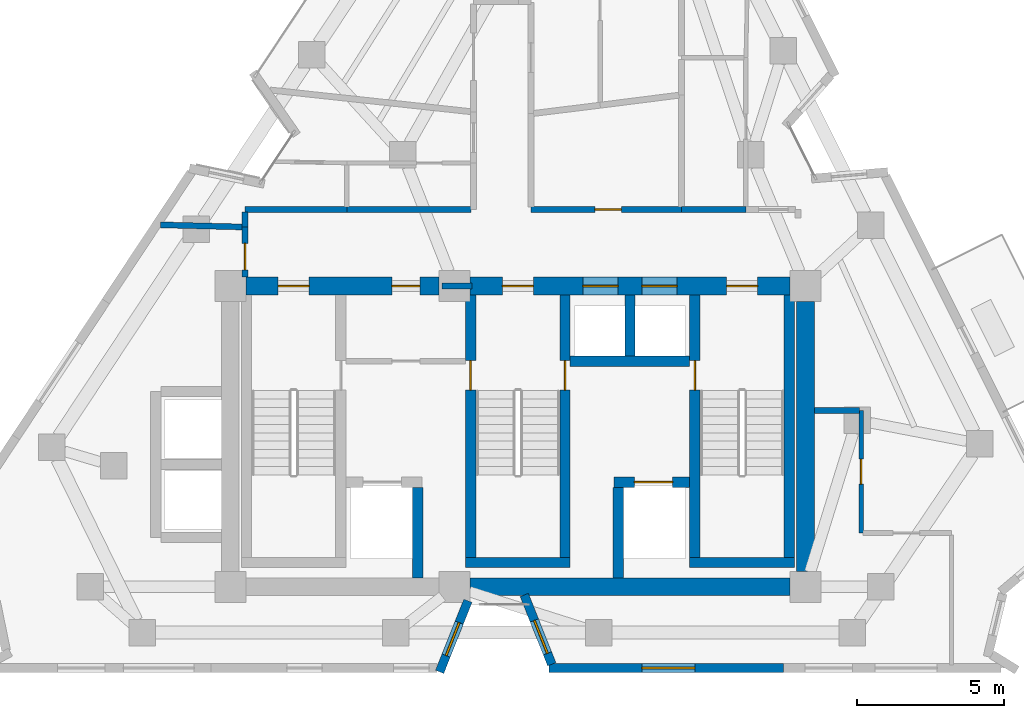
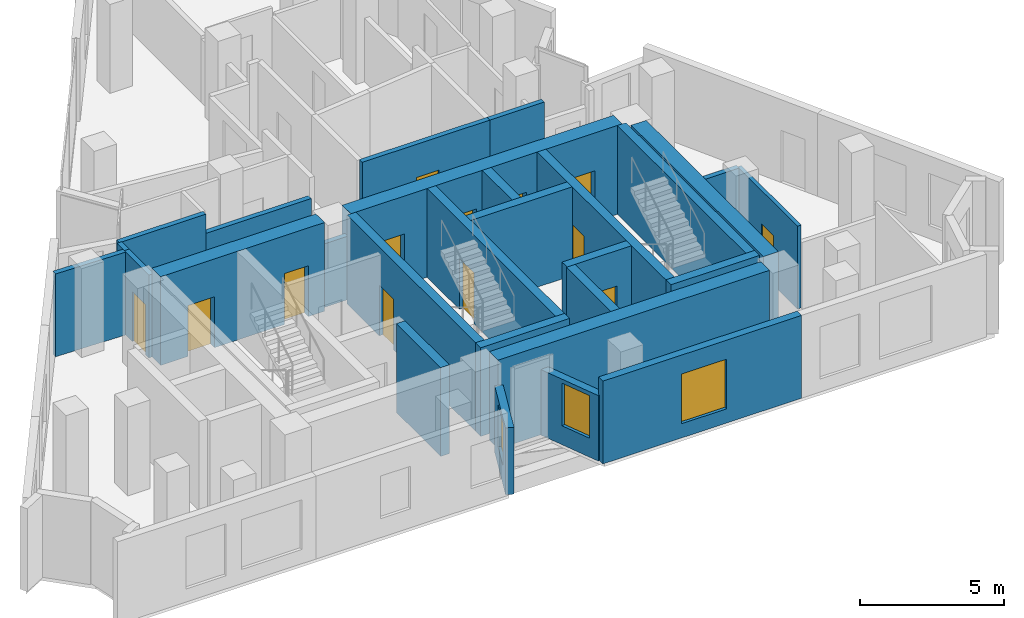
# One storey, part 5 of 9: 28 walls, 13 doors, 3 windows, 16 openings.
"""IFC4 building model written with IfcOpenShell, lengths in metres."""

from ifc_helpers import new_model, si_unit, direction, frame, frame_2d, origin, place, context, subcontext, project, spatial, rectangle, extrude, material, layer, layer_set, type_object, element, fill, save


model = new_model("IFC4")

# Units and contexts
model_context = context("Model", 3, precision=1e-05, world=origin(), true_north=direction((0.0, 1.0)))
body_context = subcontext(model_context, "Body", "Model", "MODEL_VIEW")
ifc_project = project(units=[si_unit("LENGTHUNIT", "METRE"), si_unit("AREAUNIT", "SQUARE_METRE"), si_unit("VOLUMEUNIT", "CUBIC_METRE"), si_unit("PLANEANGLEUNIT", "RADIAN"), si_unit("MASSUNIT", "GRAM", prefix="KILO")], contexts=[model_context])

# Site, building, storey
site_placement = place(None, origin())
site = spatial("IfcSite", under=ifc_project, at=site_placement, CompositionType="ELEMENT")
building_placement = place(site_placement, origin())
building = spatial("IfcBuilding", under=site, at=building_placement, Name="Almagre Mirador Tower", CompositionType="ELEMENT")
storey_placement = place(building_placement, frame((0.0, 0.0, 259.5)))
storey = spatial("IfcBuildingStorey", under=building, at=storey_placement, Name="L67", CompositionType="ELEMENT", Elevation=259.5)

# Wall, opening, window
ifc_material_1 = material(Name="Precast concrete C50/60", Category="concrete")
ifc_layer_1 = layer(ifc_material_1, 0.300048828125)
ifc_layer_set_1 = layer_set([ifc_layer_1], Name="Precast concrete C50/60")
wall_type_1 = type_object("IfcWallType", Name="WAL-EXT-300", PredefinedType="SOLIDWALL", material=ifc_layer_set_1)
wall_1_placement = place(storey_placement, frame((46.300048828125, 1.800048828125, 0.0), z_axis=(0.0, 0.0, 1.0), x_axis=(-1.0, 0.0, 0.0)))
wall_1 = element("IfcWall", 1, at=wall_1_placement, inside=storey, type_object=wall_type_1, Name="L67 expressed almagre precast frame wall 19", PredefinedType="SOLIDWALL", context=body_context, shape_type="SweptSolid", body=[
    extrude(rectangle(XDim=7.93994140625, YDim=0.300048828125, at=frame_2d((3.969970703125, 0.0))), origin(), (0.0, 0.0, 1.0), 3.5),
])
opening_1_placement = place(wall_1_placement, frame((3.0, 0.0, 0.60009765625)))
opening_1 = element("IfcOpeningElement", 2, at=opening_1_placement, cuts=wall_1, Name="Opening WN-01", PredefinedType="OPENING", context=body_context, shape_type="SweptSolid", body=[
    extrude(rectangle(XDim=1.800048828125, YDim=2.10009765625, at=frame_2d((0.89990234375, 1.050048828125))), frame((0.0, 0.159902, 0.0), z_axis=(0.0, -1.0, 0.0), x_axis=(1.0, 0.0, 0.0)), (0.0, 0.0, 1.0), 0.320049),
])
ifc_material_2 = material(Name="Dark solar-control laminated hurricane glass", Category="glass")
window_type_1 = type_object("IfcWindowType", Name="WIN-1800X2100", PartitioningType="DOUBLE_PANEL_VERTICAL", PredefinedType="WINDOW", material=ifc_material_2)
window_1_placement = place(opening_1_placement, origin())
window_1 = element("IfcWindow", 3, at=window_1_placement, inside=storey, type_object=window_type_1, Name="L67 recessed hurricane window L67-UB-LV", OverallHeight=2.10009765625, OverallWidth=1.800048828125, PartitioningType="SINGLE_PANEL", PredefinedType="WINDOW", context=body_context, shape_type="SweptSolid", body=[
    extrude(rectangle(XDim=1.800048828125, YDim=2.10009765625, at=frame_2d((0.89990234375, 1.050048828125))), frame((0.0, 0.030029296875, 0.0), z_axis=(0.0, -1.0, 0.0), x_axis=(1.0, 0.0, 0.0)), (0.0, 0.0, 1.0), 0.06005859375),
])
fill(opening_1, window_1)

wall_2_placement = place(storey_placement, frame((38.4501953125, 1.92529296875, 0.0), z_axis=(0.0, 0.0, 1.0), x_axis=(-0.369540985735, 0.929214431583, 0.0)))
wall_2 = element("IfcWall", 4, at=wall_2_placement, inside=storey, type_object=wall_type_1, Name="L67 expressed almagre precast frame wall 20", PredefinedType="SOLIDWALL", context=body_context, shape_type="SweptSolid", body=[
    extrude(rectangle(XDim=2.527099609375, YDim=0.300048828125, at=frame_2d((1.263671875, 0.0))), origin(), (0.0, 0.0, 1.0), 2.76904296875),
])
opening_2_placement = place(wall_2_placement, frame((0.39990234375, 0.0, 0.800048828125)))
opening_2 = element("IfcOpeningElement", 5, at=opening_2_placement, cuts=wall_2, Name="Opening WN-04", PredefinedType="OPENING", context=body_context, shape_type="SweptSolid", body=[
    extrude(rectangle(XDim=1.199951171875, YDim=1.800048828125, at=frame_2d((0.60009765625, 0.89990234375))), frame((0.0, 0.159902, 0.0), z_axis=(0.0, -1.0, 0.0), x_axis=(1.0, 0.0, 0.0)), (0.0, 0.0, 1.0), 0.320049),
])
ifc_material_3 = material(Name="Dark solar-control laminated hurricane glass", Category="glass")
window_type_2 = type_object("IfcWindowType", Name="WIN-1200X1800", PartitioningType="SINGLE_PANEL", PredefinedType="WINDOW", material=ifc_material_3)
window_2_placement = place(opening_2_placement, origin())
window_2 = element("IfcWindow", 6, at=window_2_placement, inside=storey, type_object=window_type_2, Name="L67 recessed hurricane window L67-UB-LV", OverallHeight=1.800048828125, OverallWidth=1.199951171875, PartitioningType="SINGLE_PANEL", PredefinedType="WINDOW", context=body_context, shape_type="SweptSolid", body=[
    extrude(rectangle(XDim=1.199951171875, YDim=1.800048828125, at=frame_2d((0.60009765625, 0.89990234375))), frame((0.0, 0.030029296875, 0.0), z_axis=(0.0, -1.0, 0.0), x_axis=(1.0, 0.0, 0.0)), (0.0, 0.0, 1.0), 0.06005859375),
])
fill(opening_2, window_2)

wall_3_placement = place(storey_placement, frame((35.606689453125, 4.080078125, 0.0), z_axis=(0.0, 0.0, 1.0), x_axis=(-0.369539870332, -0.929214875169, 0.0)))
wall_3 = element("IfcWall", 7, at=wall_3_placement, inside=storey, type_object=wall_type_1, Name="L67 expressed almagre precast frame wall 21", PredefinedType="SOLIDWALL", context=body_context, shape_type="SweptSolid", body=[
    extrude(rectangle(XDim=2.59375, YDim=0.300048828125, at=frame_2d((1.296875, 0.0))), origin(), (0.0, 0.0, 1.0), 2.824951171875),
])
opening_3_placement = place(wall_3_placement, frame((0.800048828125, 0.0, 0.800048828125)))
opening_3 = element("IfcOpeningElement", 8, at=opening_3_placement, cuts=wall_3, Name="Opening WN-04", PredefinedType="OPENING", context=body_context, shape_type="SweptSolid", body=[
    extrude(rectangle(XDim=1.199951171875, YDim=1.800048828125, at=frame_2d((0.60009765625, 0.89990234375))), frame((0.0, 0.159902, 0.0), z_axis=(0.0, -1.0, 0.0), x_axis=(1.0, 0.0, 0.0)), (0.0, 0.0, 1.0), 0.320049),
])
window_3_placement = place(opening_3_placement, origin())
window_3 = element("IfcWindow", 9, at=window_3_placement, inside=storey, type_object=window_type_2, Name="L67 recessed hurricane window L67-UB-SD1", OverallHeight=1.800048828125, OverallWidth=1.199951171875, PartitioningType="SINGLE_PANEL", PredefinedType="WINDOW", context=body_context, shape_type="SweptSolid", body=[
    extrude(rectangle(XDim=1.199951171875, YDim=1.800048828125, at=frame_2d((0.60009765625, 0.89990234375))), frame((0.0, 0.030029296875, 0.0), z_axis=(0.0, -1.0, 0.0), x_axis=(1.0, 0.0, 0.0)), (0.0, 0.0, 1.0), 0.06005859375),
])
fill(opening_3, window_3)

# Wall, opening, door
ifc_material_4 = material(Name="Gypsum acoustic stud partition", Category="other")
ifc_layer_2 = layer(ifc_material_4, 0.14990234375)
ifc_layer_set_2 = layer_set([ifc_layer_2], Name="Gypsum acoustic stud partition")
wall_type_2 = type_object("IfcWallType", Name="WAL-PRT-150-STD", PredefinedType="PARTITIONING", material=ifc_layer_set_2)
wall_4_placement = place(storey_placement, frame((48.93994140625, 10.530029296875, 0.0), z_axis=(0.0, 0.0, 1.0), x_axis=(0.0, -1.0, 0.0)))
wall_4 = element("IfcWall", 10, at=wall_4_placement, inside=storey, type_object=wall_type_2, Name="L67 interior partition 027", PredefinedType="PARTITIONING", context=body_context, shape_type="SweptSolid", body=[
    extrude(rectangle(XDim=4.150146484375, YDim=0.14990234375, at=frame_2d((2.0751953125, 0.0))), origin(), (0.0, 0.0, 1.0), 3.5),
])
opening_4_placement = place(wall_4_placement, frame((1.64990234375, 0.0, 0.0)))
opening_4 = element("IfcOpeningElement", 11, at=opening_4_placement, cuts=wall_4, Name="Opening UD-04", PredefinedType="OPENING", context=body_context, shape_type="SweptSolid", body=[
    extrude(rectangle(XDim=0.85009765625, YDim=2.10009765625, at=frame_2d((0.425048828125, 1.050048828125))), frame((0.0, 0.084951, 0.0), z_axis=(0.0, -1.0, 0.0), x_axis=(1.0, 0.0, 0.0)), (0.0, 0.0, 1.0), 0.169902),
])
ifc_material_5 = material(Name="Moisture-resistant oak timber", Category="wood")
door_type_1 = type_object("IfcDoorType", Name="DOR-UNR-850X2100", OperationType="NOTDEFINED", PredefinedType="DOOR", material=ifc_material_5)
door_1_placement = place(opening_4_placement, origin())
door_1 = element("IfcDoor", 12, at=door_1_placement, inside=storey, type_object=door_type_1, Name="DR-2053 L67 interior door L67-UC-LV to L67-UC-HB", OperationType="SINGLE_SWING_RIGHT", OverallHeight=2.10009765625, OverallWidth=0.85009765625, PredefinedType="DOOR", context=body_context, shape_type="SweptSolid", body=[
    extrude(rectangle(XDim=0.85009765625, YDim=2.10009765625, at=frame_2d((0.425048828125, 1.050048828125))), frame((0.0, 0.02490234375, 0.0), z_axis=(0.0, -1.0, 0.0), x_axis=(1.0, 0.0, 0.0)), (0.0, 0.0, 1.0), 0.050048828125),
])
fill(opening_4, door_1)

# Wall
ifc_material_6 = material(Name="Gypsum acoustic stud partition", Category="other")
ifc_layer_3 = layer(ifc_material_6, 0.199951171875)
ifc_layer_set_3 = layer_set([ifc_layer_3], Name="Gypsum acoustic stud partition")
wall_type_3 = type_object("IfcWallType", Name="WAL-PRT-200-EI60", PredefinedType="PARTITIONING", material=ifc_layer_set_3)
wall_5_placement = place(storey_placement, frame((34.719970703125, 14.75, 0.0), z_axis=(0.0, 0.0, 1.0), x_axis=(1.0, 0.0, 0.0)))
element("IfcWall", 13, at=wall_5_placement, inside=storey, type_object=wall_type_3, Name="L67 core north closure wall", PredefinedType="PARTITIONING", context=body_context, shape_type="SweptSolid", body=[
    extrude(rectangle(XDim=1.030029296875, YDim=0.199951171875, at=frame_2d((0.51513671875, 0.0))), origin(), (0.0, 0.0, 1.0), 2.68505859375),
])

# Wall, opening, door
wall_6_placement = place(storey_placement, frame((28.050048828125, 16.75, 0.0), z_axis=(0.0, 0.0, 1.0), x_axis=(0.0, -1.0, 0.0)))
wall_6 = element("IfcWall", 14, at=wall_6_placement, inside=storey, type_object=wall_type_3, Name="L67 interior partition 001", PredefinedType="PARTITIONING", context=body_context, shape_type="SweptSolid", body=[
    extrude(rectangle(XDim=1.699951171875, YDim=0.199951171875, at=frame_2d((0.85009765625, 0.0))), origin(), (0.0, 0.0, 1.0), 3.5),
])
opening_5_placement = place(wall_6_placement, frame((0.555908203125, 0.0, 0.0)))
opening_5 = element("IfcOpeningElement", 15, at=opening_5_placement, cuts=wall_6, Name="Opening ID-03", PredefinedType="OPENING", context=body_context, shape_type="SweptSolid", body=[
    extrude(rectangle(XDim=0.89990234375, YDim=2.10009765625, at=frame_2d((0.449951171875, 1.050048828125))), frame((0.0, 0.110098, 0.0), z_axis=(0.0, -1.0, 0.0), x_axis=(1.0, 0.0, 0.0)), (0.0, 0.0, 1.0), 0.219951),
])
ifc_material_7 = material(Name="Fire-rated hollow steel", Category="steel")
door_type_2 = type_object("IfcDoorType", Name="DOR-FD60-900X2100", OperationType="NOTDEFINED", PredefinedType="DOOR", material=ifc_material_7)
door_2_placement = place(opening_5_placement, origin())
door_2 = element("IfcDoor", 16, at=door_2_placement, inside=storey, type_object=door_type_2, Name="DR-2050 L67 interior door L67-RCOR to L67-RST-D", OperationType="SINGLE_SWING_LEFT", OverallHeight=2.10009765625, OverallWidth=0.89990234375, PredefinedType="DOOR", context=body_context, shape_type="SweptSolid", body=[
    extrude(rectangle(XDim=0.89990234375, YDim=2.10009765625, at=frame_2d((0.449951171875, 1.050048828125))), frame((0.0, 0.02490234375, 0.0), z_axis=(0.0, -1.0, 0.0), x_axis=(1.0, 0.0, 0.0)), (0.0, 0.0, 1.0), 0.050048828125),
])
fill(opening_5, door_2)

# Walls
wall_7_placement = place(storey_placement, frame((35.715087890625, 17.35009765625, 0.0), z_axis=(0.0, 0.0, 1.0), x_axis=(-1.0, 0.0, 0.0)))
element("IfcWall", 17, at=wall_7_placement, inside=storey, type_object=wall_type_3, Name="L67 interior partition 004", PredefinedType="PARTITIONING", context=body_context, shape_type="SweptSolid", body=[
    extrude(rectangle(XDim=4.215087890625, YDim=0.199951171875, at=frame_2d((2.107421875, 0.0))), origin(), (0.0, 0.0, 1.0), 2.68505859375),
])
wall_8_placement = place(storey_placement, frame((31.5, 17.35009765625, 0.0), z_axis=(0.0, 0.0, 1.0), x_axis=(-1.0, 0.0, 0.0)))
element("IfcWall", 18, at=wall_8_placement, inside=storey, type_object=wall_type_3, Name="L67 interior partition 005", PredefinedType="PARTITIONING", context=body_context, shape_type="SweptSolid", body=[
    extrude(rectangle(XDim=3.449951171875, YDim=0.199951171875, at=frame_2d((1.72509765625, 0.0))), origin(), (0.0, 0.0, 1.0), 3.5),
])
wall_9_placement = place(storey_placement, frame((28.050048828125, 17.264892578125, 0.0), z_axis=(0.0, 0.0, 1.0), x_axis=(0.0, -1.0, 0.0)))
element("IfcWall", 19, at=wall_9_placement, inside=storey, type_object=wall_type_3, Name="L67 interior partition 006", PredefinedType="PARTITIONING", context=body_context, shape_type="SweptSolid", body=[
    extrude(rectangle(XDim=0.514892578125, YDim=0.199951171875, at=frame_2d((0.25732421875, 0.0))), origin(), (0.0, 0.0, 1.0), 3.5),
])

# Wall, opening, door
wall_10_placement = place(storey_placement, frame((42.85009765625, 17.35009765625, 0.0), z_axis=(0.0, 0.0, 1.0), x_axis=(-1.0, 0.0, 0.0)))
wall_10 = element("IfcWall", 20, at=wall_10_placement, inside=storey, type_object=wall_type_3, Name="L67 interior partition 007", PredefinedType="PARTITIONING", context=body_context, shape_type="SweptSolid", body=[
    extrude(rectangle(XDim=5.10009765625, YDim=0.199951171875, at=frame_2d((2.550048828125, 0.0))), origin(), (0.0, 0.0, 1.0), 3.5),
])
opening_6_placement = place(wall_10_placement, frame((2.04052734375, 0.0, 0.0)))
opening_6 = element("IfcOpeningElement", 21, at=opening_6_placement, cuts=wall_10, Name="Opening ID-03", PredefinedType="OPENING", context=body_context, shape_type="SweptSolid", body=[
    extrude(rectangle(XDim=0.89990234375, YDim=2.10009765625, at=frame_2d((0.449951171875, 1.050048828125))), frame((0.0, 0.110098, 0.0), z_axis=(0.0, -1.0, 0.0), x_axis=(1.0, 0.0, 0.0)), (0.0, 0.0, 1.0), 0.219951),
])
door_3_placement = place(opening_6_placement, origin())
door_3 = element("IfcDoor", 22, at=door_3_placement, inside=storey, type_object=door_type_2, Name="DR-2051 L67 interior door L67-RCOR to L67-RST-G", OperationType="SINGLE_SWING_RIGHT", OverallHeight=2.10009765625, OverallWidth=0.89990234375, PredefinedType="DOOR", context=body_context, shape_type="SweptSolid", body=[
    extrude(rectangle(XDim=0.89990234375, YDim=2.10009765625, at=frame_2d((0.449951171875, 1.050048828125))), frame((0.0, 0.02490234375, 0.0), z_axis=(0.0, -1.0, 0.0), x_axis=(1.0, 0.0, 0.0)), (0.0, 0.0, 1.0), 0.050048828125),
])
fill(opening_6, door_3)

# Walls
wall_11_placement = place(storey_placement, frame((45.030029296875, 17.35009765625, 0.0), z_axis=(0.0, 0.0, 1.0), x_axis=(-1.0, 0.0, 0.0)))
element("IfcWall", 23, at=wall_11_placement, inside=storey, type_object=wall_type_3, Name="L67 interior partition 013", PredefinedType="PARTITIONING", context=body_context, shape_type="SweptSolid", body=[
    extrude(rectangle(XDim=2.179931640625, YDim=0.199951171875, at=frame_2d((1.08984375, 0.0))), origin(), (0.0, 0.0, 1.0), 3.5),
])
wall_12_placement = place(storey_placement, frame((48.8798828125, 10.530029296875, 0.0), z_axis=(0.0, 0.0, 1.0), x_axis=(-1.0, 0.0, 0.0)))
element("IfcWall", 24, at=wall_12_placement, inside=storey, type_object=wall_type_3, Name="L67 interior partition 034", PredefinedType="PARTITIONING", context=body_context, shape_type="SweptSolid", body=[
    extrude(rectangle(XDim=1.52978515625, YDim=0.199951171875, at=frame_2d((0.764892578125, 0.0))), origin(), (0.0, 0.0, 1.0), 3.5),
])
wall_13_placement = place(storey_placement, frame((27.965087890625, 16.751220703125, 0.0), z_axis=(0.0, 0.0, 1.0), x_axis=(-0.99966592062, 0.025846608096, 0.0)))
element("IfcWall", 25, at=wall_13_placement, inside=storey, type_object=wall_type_3, Name="L67 interior partition 037", PredefinedType="PARTITIONING", context=body_context, shape_type="SweptSolid", body=[
    extrude(rectangle(XDim=2.777099609375, YDim=0.199951171875, at=frame_2d((1.388671875, 0.0))), origin(), (0.0, 0.0, 1.0), 3.5),
])

# Wall, opening, door
ifc_material_8 = material(Name="Concrete C60/75", Category="concrete")
ifc_layer_4 = layer(ifc_material_8, 0.35009765625)
ifc_layer_set_4 = layer_set([ifc_layer_4], Name="Concrete C60/75")
wall_type_4 = type_object("IfcWallType", Name="WAL-SHF-350", PredefinedType="SOLIDWALL", material=ifc_layer_set_4)
wall_14_placement = place(storey_placement, frame((35.699951171875, 5.199951171875, 0.0), z_axis=(0.0, 0.0, 1.0), x_axis=(0.0, 1.0, 0.0)))
wall_14 = element("IfcWall", 26, at=wall_14_placement, inside=storey, type_object=wall_type_4, Name="L67 shaft wall ST2-W", PredefinedType="SOLIDWALL", context=body_context, shape_type="SweptSolid", body=[
    extrude(rectangle(XDim=9.25, YDim=0.35009765625, at=frame_2d((4.625, 0.0))), origin(), (0.0, 0.0, 1.0), 3.75),
])
opening_7_placement = place(wall_14_placement, frame((6.02001953125, 0.0, 0.0)))
opening_7 = element("IfcOpeningElement", 27, at=opening_7_placement, cuts=wall_14, Name="Opening FD-01", PredefinedType="OPENING", context=body_context, shape_type="SweptSolid", body=[
    extrude(rectangle(XDim=1.0, YDim=2.14990234375, at=frame_2d((0.5, 1.074951171875))), frame((0.0, 0.185049, 0.0), z_axis=(0.0, -1.0, 0.0), x_axis=(1.0, 0.0, 0.0)), (0.0, 0.0, 1.0), 0.370098),
])
ifc_material_9 = material(Name="Fire-rated hollow steel", Category="steel")
door_type_3 = type_object("IfcDoorType", Name="DOR-FFL-1000X2150", OperationType="NOTDEFINED", PredefinedType="DOOR", material=ifc_material_9)
door_4_placement = place(opening_7_placement, origin())
door_4 = element("IfcDoor", 28, at=door_4_placement, inside=storey, type_object=door_type_3, Name="DR-2047 L67 FFL1-ST2 smokeproof door", OperationType="SINGLE_SWING_RIGHT", OverallHeight=2.14990234375, OverallWidth=1.0, PredefinedType="DOOR", context=body_context, shape_type="SweptSolid", body=[
    extrude(rectangle(XDim=1.0, YDim=2.14990234375, at=frame_2d((0.5, 1.074951171875))), frame((0.0, 0.02490234375, 0.0), z_axis=(0.0, -1.0, 0.0), x_axis=(1.0, 0.0, 0.0)), (0.0, 0.0, 1.0), 0.050048828125),
])
fill(opening_7, door_4)

wall_15_placement = place(storey_placement, frame((38.89990234375, 5.199951171875, 0.0), z_axis=(0.0, 0.0, 1.0), x_axis=(0.0, 1.0, 0.0)))
wall_15 = element("IfcWall", 29, at=wall_15_placement, inside=storey, type_object=wall_type_4, Name="L67 shaft wall ST2-E", PredefinedType="SOLIDWALL", context=body_context, shape_type="SweptSolid", body=[
    extrude(rectangle(XDim=9.25, YDim=0.35009765625, at=frame_2d((4.625, 0.0))), origin(), (0.0, 0.0, 1.0), 3.75),
])
opening_8_placement = place(wall_15_placement, frame((6.02001953125, 0.0, 0.0)))
opening_8 = element("IfcOpeningElement", 30, at=opening_8_placement, cuts=wall_15, Name="Opening FD-01", PredefinedType="OPENING", context=body_context, shape_type="SweptSolid", body=[
    extrude(rectangle(XDim=1.0, YDim=2.14990234375, at=frame_2d((0.5, 1.074951171875))), frame((0.0, 0.185049, 0.0), z_axis=(0.0, -1.0, 0.0), x_axis=(1.0, 0.0, 0.0)), (0.0, 0.0, 1.0), 0.370098),
])
door_5_placement = place(opening_8_placement, origin())
door_5 = element("IfcDoor", 31, at=door_5_placement, inside=storey, type_object=door_type_3, Name="DR-2048 L67 FFL2-ST2 smokeproof door", OperationType="SINGLE_SWING_LEFT", OverallHeight=2.14990234375, OverallWidth=1.0, PredefinedType="DOOR", context=body_context, shape_type="SweptSolid", body=[
    extrude(rectangle(XDim=1.0, YDim=2.14990234375, at=frame_2d((0.5, 1.074951171875))), frame((0.0, 0.02490234375, 0.0), z_axis=(0.0, -1.0, 0.0), x_axis=(1.0, 0.0, 0.0)), (0.0, 0.0, 1.0), 0.050048828125),
])
fill(opening_8, door_5)

# Wall
wall_16_placement = place(storey_placement, frame((35.52490234375, 5.375, 0.0), z_axis=(0.0, 0.0, 1.0), x_axis=(1.0, 0.0, 0.0)))
element("IfcWall", 32, at=wall_16_placement, inside=storey, type_object=wall_type_4, Name="L67 shaft wall ST2-S", PredefinedType="SOLIDWALL", context=body_context, shape_type="SweptSolid", body=[
    extrude(rectangle(XDim=3.550048828125, YDim=0.35009765625, at=frame_2d((1.77490234375, 0.0))), origin(), (0.0, 0.0, 1.0), 3.75),
])

# Wall, opening, door
wall_17_placement = place(storey_placement, frame((43.300048828125, 5.199951171875, 0.0), z_axis=(0.0, 0.0, 1.0), x_axis=(0.0, 1.0, 0.0)))
wall_17 = element("IfcWall", 33, at=wall_17_placement, inside=storey, type_object=wall_type_4, Name="L67 shaft wall ST3-W", PredefinedType="SOLIDWALL", context=body_context, shape_type="SweptSolid", body=[
    extrude(rectangle(XDim=9.25, YDim=0.35009765625, at=frame_2d((4.625, 0.0))), origin(), (0.0, 0.0, 1.0), 3.75),
])
opening_9_placement = place(wall_17_placement, frame((6.02001953125, 0.0, 0.0)))
opening_9 = element("IfcOpeningElement", 34, at=opening_9_placement, cuts=wall_17, Name="Opening FD-01", PredefinedType="OPENING", context=body_context, shape_type="SweptSolid", body=[
    extrude(rectangle(XDim=1.0, YDim=2.14990234375, at=frame_2d((0.5, 1.074951171875))), frame((0.0, 0.185049, 0.0), z_axis=(0.0, -1.0, 0.0), x_axis=(1.0, 0.0, 0.0)), (0.0, 0.0, 1.0), 0.370098),
])
door_6_placement = place(opening_9_placement, origin())
door_6 = element("IfcDoor", 35, at=door_6_placement, inside=storey, type_object=door_type_3, Name="DR-2049 L67 FFL2-ST3 smokeproof door", OperationType="SINGLE_SWING_RIGHT", OverallHeight=2.14990234375, OverallWidth=1.0, PredefinedType="DOOR", context=body_context, shape_type="SweptSolid", body=[
    extrude(rectangle(XDim=1.0, YDim=2.14990234375, at=frame_2d((0.5, 1.074951171875))), frame((0.0, 0.02490234375, 0.0), z_axis=(0.0, -1.0, 0.0), x_axis=(1.0, 0.0, 0.0)), (0.0, 0.0, 1.0), 0.050048828125),
])
fill(opening_9, door_6)

# Walls
wall_18_placement = place(storey_placement, frame((46.5, 5.199951171875, 0.0), z_axis=(0.0, 0.0, 1.0), x_axis=(0.0, 1.0, 0.0)))
element("IfcWall", 36, at=wall_18_placement, inside=storey, type_object=wall_type_4, Name="L67 shaft wall ST3-E", PredefinedType="SOLIDWALL", context=body_context, shape_type="SweptSolid", body=[
    extrude(rectangle(XDim=9.25, YDim=0.35009765625, at=frame_2d((4.625, 0.0))), origin(), (0.0, 0.0, 1.0), 3.75),
])
wall_19_placement = place(storey_placement, frame((43.125, 5.375, 0.0), z_axis=(0.0, 0.0, 1.0), x_axis=(1.0, 0.0, 0.0)))
element("IfcWall", 37, at=wall_19_placement, inside=storey, type_object=wall_type_4, Name="L67 shaft wall ST3-S", PredefinedType="SOLIDWALL", context=body_context, shape_type="SweptSolid", body=[
    extrude(rectangle(XDim=3.550048828125, YDim=0.35009765625, at=frame_2d((1.77490234375, 0.0))), origin(), (0.0, 0.0, 1.0), 3.75),
])

# Wall, opening, door
wall_20_placement = place(storey_placement, frame((40.550048828125, 8.10009765625, 0.0), z_axis=(0.0, 0.0, 1.0), x_axis=(1.0, 0.0, 0.0)))
wall_20 = element("IfcWall", 38, at=wall_20_placement, inside=storey, type_object=wall_type_4, Name="L67 shaft wall FSAE2-N", PredefinedType="SOLIDWALL", context=body_context, shape_type="SweptSolid", body=[
    extrude(rectangle(XDim=2.574951171875, YDim=0.35009765625, at=frame_2d((1.28759765625, 0.0))), origin(), (0.0, 0.0, 1.0), 3.75),
])
opening_10_placement = place(wall_20_placement, frame((0.699951171875, 0.0, 0.0)))
opening_10 = element("IfcOpeningElement", 39, at=opening_10_placement, cuts=wall_20, Name="Opening LD-03", PredefinedType="OPENING", context=body_context, shape_type="SweptSolid", body=[
    extrude(rectangle(XDim=1.300048828125, YDim=2.25, at=frame_2d((0.64990234375, 1.125))), frame((0.0, 0.185049, 0.0), z_axis=(0.0, -1.0, 0.0), x_axis=(1.0, 0.0, 0.0)), (0.0, 0.0, 1.0), 0.370098),
])
ifc_material_10 = material(Name="Hollow stainless steel", Category="steel")
door_type_4 = type_object("IfcDoorType", Name="DOR-LD-1300X2250", OperationType="DOUBLE_DOOR_SLIDING", PredefinedType="DOOR", material=ifc_material_10)
door_7_placement = place(opening_10_placement, origin())
door_7 = element("IfcDoor", 40, at=door_7_placement, inside=storey, type_object=door_type_4, Name="DR-2065 L67 FSAE-2 lift landing door", OperationType="DOUBLE_DOOR_SLIDING", OverallHeight=2.25, OverallWidth=1.300048828125, PredefinedType="DOOR", context=body_context, shape_type="SweptSolid", body=[
    extrude(rectangle(XDim=1.300048828125, YDim=2.25, at=frame_2d((0.64990234375, 1.125))), frame((0.0, 0.02490234375, 0.0), z_axis=(0.0, -1.0, 0.0), x_axis=(1.0, 0.0, 0.0)), (0.0, 0.0, 1.0), 0.050048828125),
])
fill(opening_10, door_7)

# Walls
for number, where, z_axis, x_axis, name in (
    (41, (33.89990234375, 4.85009765625, 0.0), (0.0, 0.0, 1.0), (0.0, 1.0, 0.0), "L67 shaft wall FSAE1-E"),
    (42, (40.699951171875, 4.85009765625, 0.0), (0.0, 0.0, 1.0), (0.0, 1.0, 0.0), "L67 shaft wall FSAE2-W"),
):
    element("IfcWall", number, at=place(storey_placement, frame(where, z_axis=z_axis, x_axis=x_axis)), inside=storey, type_object=wall_type_4, Name=name, PredefinedType="SOLIDWALL", context=body_context, shape_type="SweptSolid", body=[
        extrude(rectangle(XDim=3.074951171875, YDim=0.35009765625, at=frame_2d((1.53759765625, 0.0))), origin(), (0.0, 0.0, 1.0), 3.75),
    ])
wall_21_placement = place(storey_placement, frame((39.074951171875, 12.199951171875, 0.0), z_axis=(0.0, 0.0, 1.0), x_axis=(1.0, 0.0, 0.0)))
element("IfcWall", 43, at=wall_21_placement, inside=storey, type_object=wall_type_4, Name="L67 shaft wall PLH-S", PredefinedType="SOLIDWALL", context=body_context, shape_type="SweptSolid", body=[
    extrude(rectangle(XDim=4.050048828125, YDim=0.35009765625, at=frame_2d((2.02490234375, 0.0))), origin(), (0.0, 0.0, 1.0), 3.75),
])
wall_22_placement = place(storey_placement, frame((41.10009765625, 12.375, 0.0), z_axis=(0.0, 0.0, 1.0), x_axis=(0.0, 1.0, 0.0)))
element("IfcWall", 44, at=wall_22_placement, inside=storey, type_object=wall_type_4, Name="L67 shaft wall PLH-M", PredefinedType="SOLIDWALL", context=body_context, shape_type="SweptSolid", body=[
    extrude(rectangle(XDim=2.074951171875, YDim=0.35009765625, at=frame_2d((1.03759765625, 0.0))), origin(), (0.0, 0.0, 1.0), 3.75),
])
ifc_material_11 = material(Name="Concrete C60/75", Category="concrete")
ifc_layer_5 = layer(ifc_material_11, 0.60009765625)
ifc_layer_set_5 = layer_set([ifc_layer_5], Name="Concrete C60/75")
wall_type_5 = type_object("IfcWallType", Name="WAL-SHR-600", PredefinedType="SHEAR", material=ifc_layer_set_5)
wall_23_placement = place(storey_placement, frame((35.675048828125, 4.550048828125, 0.0), z_axis=(0.0, 0.0, 1.0), x_axis=(1.0, 0.0, 0.0)))
element("IfcWall", 45, at=wall_23_placement, inside=storey, type_object=wall_type_5, Name="L67 core shear wall S2", PredefinedType="SHEAR", context=body_context, shape_type="SweptSolid", body=[
    extrude(rectangle(XDim=10.849853515625, YDim=0.60009765625, at=frame_2d((5.4248046875, 0.0))), origin(), (0.0, 0.0, 1.0), 3.75),
])

# Wall, openings, doors
wall_24_placement = place(storey_placement, frame((28.074951171875, 14.75, 0.0), z_axis=(0.0, 0.0, 1.0), x_axis=(1.0, 0.0, 0.0)))
wall_24 = element("IfcWall", 46, at=wall_24_placement, inside=storey, type_object=wall_type_5, Name="L67 core shear wall N1", PredefinedType="SHEAR", context=body_context, shape_type="SweptSolid", body=[
    extrude(rectangle(XDim=6.550048828125, YDim=0.60009765625, at=frame_2d((3.27490234375, 0.0))), origin(), (0.0, 0.0, 1.0), 3.75),
])
opening_11_placement = place(wall_24_placement, frame((1.10009765625, 0.0, 0.0)))
opening_11 = element("IfcOpeningElement", 47, at=opening_11_placement, cuts=wall_24, Name="Opening SD-01", PredefinedType="OPENING", context=body_context, shape_type="SweptSolid", body=[
    extrude(rectangle(XDim=1.050048828125, YDim=2.14990234375, at=frame_2d((0.52490234375, 1.074951171875))), frame((0.0, 0.310049, 0.0), z_axis=(0.0, -1.0, 0.0), x_axis=(1.0, 0.0, 0.0)), (0.0, 0.0, 1.0), 0.620098),
])
opening_12_placement = place(wall_24_placement, frame((4.949951171875, 0.0, 0.0)))
opening_12 = element("IfcOpeningElement", 48, at=opening_12_placement, cuts=wall_24, Name="Opening FD-02", PredefinedType="OPENING", context=body_context, shape_type="SweptSolid", body=[
    extrude(rectangle(XDim=0.949951171875, YDim=2.14990234375, at=frame_2d((0.47509765625, 1.074951171875))), frame((0.0, 0.310049, 0.0), z_axis=(0.0, -1.0, 0.0), x_axis=(1.0, 0.0, 0.0)), (0.0, 0.0, 1.0), 0.620098),
])
ifc_material_12 = material(Name="Fire-rated hollow steel", Category="steel")
door_type_5 = type_object("IfcDoorType", Name="DOR-FD90-950X2150", OperationType="NOTDEFINED", PredefinedType="DOOR", material=ifc_material_12)
door_8_placement = place(opening_12_placement, origin())
door_8 = element("IfcDoor", 49, at=door_8_placement, inside=storey, type_object=door_type_5, Name="DR-2044 L67 core equipment room north door", OperationType="SINGLE_SWING_LEFT", OverallHeight=2.14990234375, OverallWidth=0.949951171875, PredefinedType="DOOR", context=body_context, shape_type="SweptSolid", body=[
    extrude(rectangle(XDim=0.949951171875, YDim=2.14990234375, at=frame_2d((0.47509765625, 1.074951171875))), frame((0.0, 0.02490234375, 0.0), z_axis=(0.0, -1.0, 0.0), x_axis=(1.0, 0.0, 0.0)), (0.0, 0.0, 1.0), 0.050048828125),
])
fill(opening_12, door_8)
ifc_material_13 = material(Name="Fire-rated hollow steel", Category="steel")
door_type_6 = type_object("IfcDoorType", Name="DOR-ST-1050X2150", OperationType="NOTDEFINED", PredefinedType="DOOR", material=ifc_material_13)
door_9_placement = place(opening_11_placement, origin())
door_9 = element("IfcDoor", 50, at=door_9_placement, inside=storey, type_object=door_type_6, Name="DR-2068 L67 protected exit stair ST-1 door", OperationType="SINGLE_SWING_RIGHT", OverallHeight=2.14990234375, OverallWidth=1.050048828125, PredefinedType="DOOR", context=body_context, shape_type="SweptSolid", body=[
    extrude(rectangle(XDim=1.050048828125, YDim=2.14990234375, at=frame_2d((0.52490234375, 1.074951171875))), frame((0.0, 0.02490234375, 0.0), z_axis=(0.0, -1.0, 0.0), x_axis=(1.0, 0.0, 0.0)), (0.0, 0.0, 1.0), 0.050048828125),
])
fill(opening_11, door_9)

wall_25_placement = place(storey_placement, frame((35.675048828125, 14.75, 0.0), z_axis=(0.0, 0.0, 1.0), x_axis=(1.0, 0.0, 0.0)))
wall_25 = element("IfcWall", 51, at=wall_25_placement, inside=storey, type_object=wall_type_5, Name="L67 core shear wall N2", PredefinedType="SHEAR", context=body_context, shape_type="SweptSolid", body=[
    extrude(rectangle(XDim=10.849853515625, YDim=0.60009765625, at=frame_2d((5.4248046875, 0.0))), origin(), (0.0, 0.0, 1.0), 3.75),
])
opening_13_placement = place(wall_25_placement, frame((1.10009765625, 0.0, 0.0)))
opening_13 = element("IfcOpeningElement", 52, at=opening_13_placement, cuts=wall_25, Name="Opening SD-01", PredefinedType="OPENING", context=body_context, shape_type="SweptSolid", body=[
    extrude(rectangle(XDim=1.050048828125, YDim=2.14990234375, at=frame_2d((0.52490234375, 1.074951171875))), frame((0.0, 0.310049, 0.0), z_axis=(0.0, -1.0, 0.0), x_axis=(1.0, 0.0, 0.0)), (0.0, 0.0, 1.0), 0.620098),
])
opening_14_placement = place(wall_25_placement, frame((8.699951171875, 0.0, 0.0)))
opening_14 = element("IfcOpeningElement", 53, at=opening_14_placement, cuts=wall_25, Name="Opening SD-01", PredefinedType="OPENING", context=body_context, shape_type="SweptSolid", body=[
    extrude(rectangle(XDim=1.050048828125, YDim=2.14990234375, at=frame_2d((0.52490234375, 1.074951171875))), frame((0.0, 0.310049, 0.0), z_axis=(0.0, -1.0, 0.0), x_axis=(1.0, 0.0, 0.0)), (0.0, 0.0, 1.0), 0.620098),
])
opening_15_placement = place(wall_25_placement, frame((3.824951171875, 0.0, 0.0)))
opening_15 = element("IfcOpeningElement", 54, at=opening_15_placement, cuts=wall_25, Name="Opening LD-02", PredefinedType="OPENING", context=body_context, shape_type="SweptSolid", body=[
    extrude(rectangle(XDim=1.199951171875, YDim=2.199951171875, at=frame_2d((0.60009765625, 1.10009765625))), frame((0.0, 0.310049, 0.0), z_axis=(0.0, -1.0, 0.0), x_axis=(1.0, 0.0, 0.0)), (0.0, 0.0, 1.0), 0.620098),
])
opening_16_placement = place(wall_25_placement, frame((5.824951171875, 0.0, 0.0)))
opening_16 = element("IfcOpeningElement", 55, at=opening_16_placement, cuts=wall_25, Name="Opening LD-02", PredefinedType="OPENING", context=body_context, shape_type="SweptSolid", body=[
    extrude(rectangle(XDim=1.199951171875, YDim=2.199951171875, at=frame_2d((0.60009765625, 1.10009765625))), frame((0.0, 0.310049, 0.0), z_axis=(0.0, -1.0, 0.0), x_axis=(1.0, 0.0, 0.0)), (0.0, 0.0, 1.0), 0.620098),
])
ifc_material_14 = material(Name="Hollow stainless steel", Category="steel")
door_type_7 = type_object("IfcDoorType", Name="DOR-LD-1200X2200", OperationType="DOUBLE_DOOR_SLIDING", PredefinedType="DOOR", material=ifc_material_14)
door_10_placement = place(opening_15_placement, origin())
door_10 = element("IfcDoor", 56, at=door_10_placement, inside=storey, type_object=door_type_7, Name="DR-2066 L67 PL-H1 lift landing door", OperationType="DOUBLE_DOOR_SLIDING", OverallHeight=2.199951171875, OverallWidth=1.199951171875, PredefinedType="DOOR", context=body_context, shape_type="SweptSolid", body=[
    extrude(rectangle(XDim=1.199951171875, YDim=2.199951171875, at=frame_2d((0.60009765625, 1.10009765625))), frame((0.0, 0.02490234375, 0.0), z_axis=(0.0, -1.0, 0.0), x_axis=(1.0, 0.0, 0.0)), (0.0, 0.0, 1.0), 0.050048828125),
])
fill(opening_15, door_10)
door_11_placement = place(opening_16_placement, origin())
door_11 = element("IfcDoor", 57, at=door_11_placement, inside=storey, type_object=door_type_7, Name="DR-2067 L67 PL-H2 lift landing door", OperationType="DOUBLE_DOOR_SLIDING", OverallHeight=2.199951171875, OverallWidth=1.199951171875, PredefinedType="DOOR", context=body_context, shape_type="SweptSolid", body=[
    extrude(rectangle(XDim=1.199951171875, YDim=2.199951171875, at=frame_2d((0.60009765625, 1.10009765625))), frame((0.0, 0.02490234375, 0.0), z_axis=(0.0, -1.0, 0.0), x_axis=(1.0, 0.0, 0.0)), (0.0, 0.0, 1.0), 0.050048828125),
])
fill(opening_16, door_11)
door_12_placement = place(opening_13_placement, origin())
door_12 = element("IfcDoor", 58, at=door_12_placement, inside=storey, type_object=door_type_6, Name="DR-2069 L67 protected exit stair ST-2 door", OperationType="SINGLE_SWING_LEFT", OverallHeight=2.14990234375, OverallWidth=1.050048828125, PredefinedType="DOOR", context=body_context, shape_type="SweptSolid", body=[
    extrude(rectangle(XDim=1.050048828125, YDim=2.14990234375, at=frame_2d((0.52490234375, 1.074951171875))), frame((0.0, 0.02490234375, 0.0), z_axis=(0.0, -1.0, 0.0), x_axis=(1.0, 0.0, 0.0)), (0.0, 0.0, 1.0), 0.050048828125),
])
fill(opening_13, door_12)
door_13_placement = place(opening_14_placement, origin())
door_13 = element("IfcDoor", 59, at=door_13_placement, inside=storey, type_object=door_type_6, Name="DR-2070 L67 protected exit stair ST-3 door", OperationType="SINGLE_SWING_RIGHT", OverallHeight=2.14990234375, OverallWidth=1.050048828125, PredefinedType="DOOR", context=body_context, shape_type="SweptSolid", body=[
    extrude(rectangle(XDim=1.050048828125, YDim=2.14990234375, at=frame_2d((0.52490234375, 1.074951171875))), frame((0.0, 0.02490234375, 0.0), z_axis=(0.0, -1.0, 0.0), x_axis=(1.0, 0.0, 0.0)), (0.0, 0.0, 1.0), 0.050048828125),
])
fill(opening_14, door_13)

# Wall
wall_26_placement = place(storey_placement, frame((47.050048828125, 5.074951171875, 0.0), z_axis=(0.0, 0.0, 1.0), x_axis=(0.0, 1.0, 0.0)))
element("IfcWall", 60, at=wall_26_placement, inside=storey, type_object=wall_type_5, Name="L67 core shear wall E1", PredefinedType="SHEAR", context=body_context, shape_type="SweptSolid", body=[
    extrude(rectangle(XDim=9.150146484375, YDim=0.60009765625, at=frame_2d((4.5751953125, 0.0))), origin(), (0.0, 0.0, 1.0), 3.75),
])

save(model, "model.ifc")
